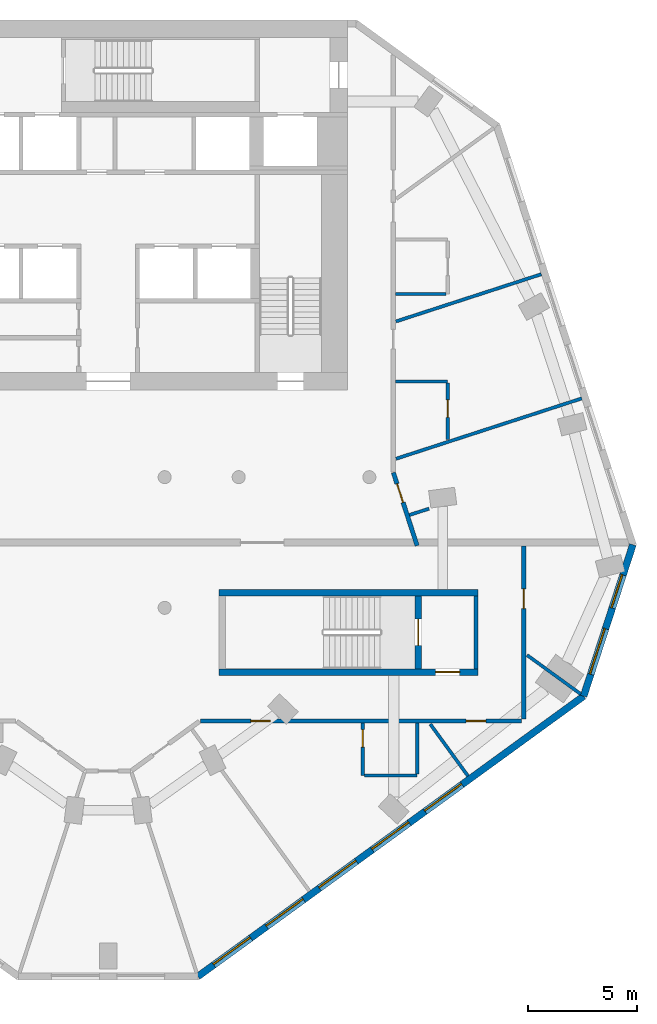
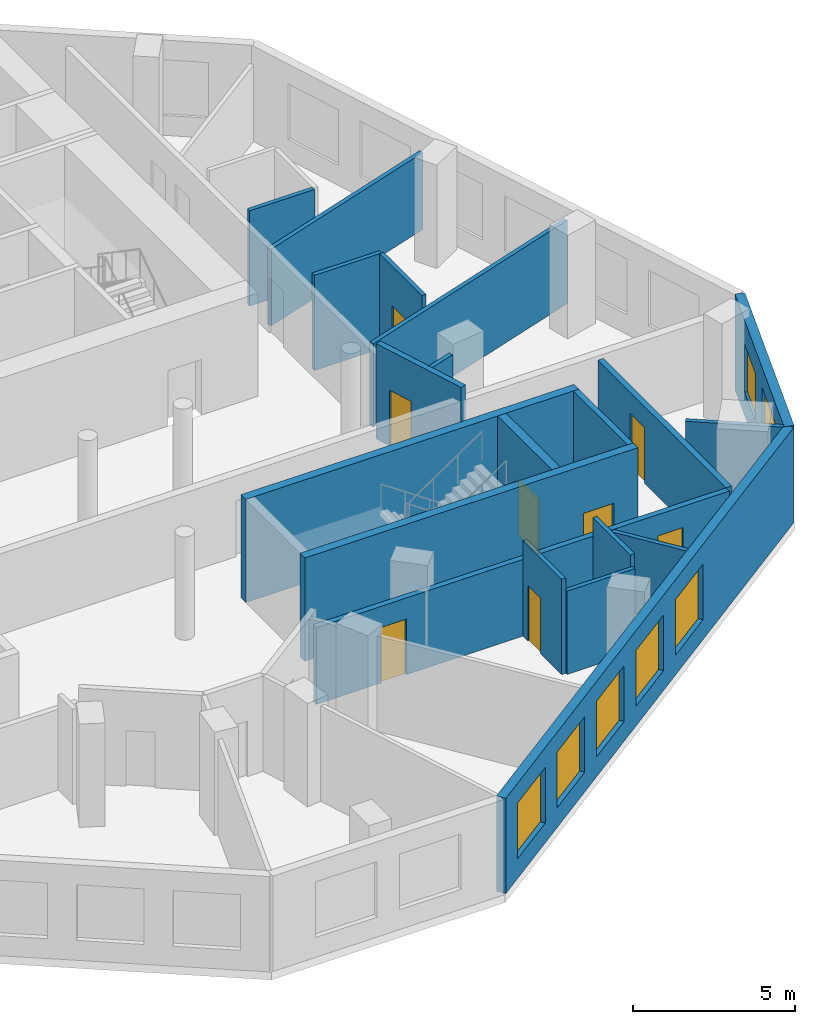
# One storey, part 4 of 9: 20 walls, 8 doors, 7 windows, 15 openings.
"""IFC4 building model written with IfcOpenShell, lengths in metres."""

from ifc_helpers import new_model, si_unit, direction, frame, frame_2d, origin, place, context, subcontext, project, spatial, rectangle, extrude, material, layer, layer_set, type_object, element, fill, save


model = new_model("IFC4")

# Units and contexts
model_context = context("Model", 3, precision=1e-05, world=origin(), true_north=direction((0.0, 1.0)))
body_context = subcontext(model_context, "Body", "Model", "MODEL_VIEW")
ifc_project = project(units=[si_unit("LENGTHUNIT", "METRE"), si_unit("AREAUNIT", "SQUARE_METRE"), si_unit("VOLUMEUNIT", "CUBIC_METRE"), si_unit("PLANEANGLEUNIT", "RADIAN"), si_unit("MASSUNIT", "GRAM", prefix="KILO")], contexts=[model_context])

# Site, building, storey
site_placement = place(None, origin())
site = spatial("IfcSite", under=ifc_project, at=site_placement, CompositionType="ELEMENT")
building_placement = place(site_placement, origin())
building = spatial("IfcBuilding", under=site, at=building_placement, Name="White Candle Pilgrim Tower", CompositionType="ELEMENT")
storey_placement = place(building_placement, frame((0.0, 0.0, 235.5)))
storey = spatial("IfcBuildingStorey", under=building, at=storey_placement, Name="L55", CompositionType="ELEMENT", Elevation=235.5)

# Wall
ifc_material_1 = material(Name="Concrete C50/60", Category="concrete")
ifc_layer_1 = layer(ifc_material_1, 0.199951171875)
ifc_layer_set_1 = layer_set([ifc_layer_1], Name="Core wall 200 mm Concrete C50/60")
wall_type_1 = type_object("IfcWallType", Name="Core wall 200 mm Concrete C50/60", PredefinedType="SHEAR", material=ifc_layer_set_1)
wall_1_placement = place(storey_placement, frame((86.89990234375, 58.199951171875, 0.0), z_axis=(0.0, 0.0, 1.0), x_axis=(0.0, 1.0, 0.0)))
element("IfcWall", 1, at=wall_1_placement, inside=storey, type_object=wall_type_1, Name="WL-L55-C08", PredefinedType="SHEAR", context=body_context, shape_type="SweptSolid", body=[
    extrude(rectangle(XDim=3.35009765625, YDim=0.199951171875, at=frame_2d((1.675048828125, 0.0))), origin(), (0.0, 0.0, 1.0), 3.89990234375),
])

# Wall, opening, door
ifc_material_2 = material(Name="Gypsum board on steel studs", Category="steel")
ifc_layer_2 = layer(ifc_material_2, 0.199951171875)
ifc_layer_set_2 = layer_set([ifc_layer_2], Name="Corridor wall 200 mm EI 45")
wall_type_2 = type_object("IfcWallType", Name="Corridor wall 200 mm EI 45", PredefinedType="PARTITIONING", material=ifc_layer_set_2)
wall_2_placement = place(storey_placement, frame((83.10498046875, 67.2109375, 0.0), z_axis=(0.0, 0.0, 1.0), x_axis=(0.309026709141, -0.951053359721, 0.0)))
wall_2 = element("IfcWall", 2, at=wall_2_placement, inside=storey, type_object=wall_type_2, Name="WL-L55-P005", PredefinedType="PARTITIONING", context=body_context, shape_type="SweptSolid", body=[
    extrude(rectangle(XDim=3.53369140625, YDim=0.199951171875, at=frame_2d((1.766845703125, 0.0))), origin(), (0.0, 0.0, 1.0), 3.60009765625),
])
opening_1_placement = place(wall_2_placement, frame((0.542236328125, 0.0, 0.0)))
opening_1 = element("IfcOpeningElement", 3, at=opening_1_placement, cuts=wall_2, Name="Opening T17-126", PredefinedType="OPENING", context=body_context, shape_type="SweptSolid", body=[
    extrude(rectangle(XDim=0.89990234375, YDim=2.10009765625, at=frame_2d((0.449951171875, 1.050048828125))), frame((0.0, 0.10986328125, 0.0), z_axis=(0.0, -1.0, 0.0), x_axis=(1.0, 0.0, 0.0)), (0.0, 0.0, 1.0), 0.219970703125),
])
ifc_material_3 = material(Name="Steel door leaf", Category="steel")
door_type_1 = type_object("IfcDoorType", Name="Fire door 900 x 2100 EI 30", OperationType="NOTDEFINED", PredefinedType="DOOR", material=ifc_material_3)
door_1_placement = place(opening_1_placement, origin())
door_1 = element("IfcDoor", 4, at=door_1_placement, inside=storey, type_object=door_type_1, Name="Door T17-126", OperationType="SINGLE_SWING_RIGHT", OverallHeight=2.10009765625, OverallWidth=0.89990234375, PredefinedType="DOOR", context=body_context, shape_type="SweptSolid", body=[
    extrude(rectangle(XDim=0.89990234375, YDim=2.10009765625, at=frame_2d((0.449951171875, 1.050048828125))), frame((0.0, 0.02490234375, 0.0), z_axis=(0.0, -1.0, 0.0), x_axis=(1.0, 0.0, 0.0)), (0.0, 0.0, 1.0), 0.050048828125),
])
fill(opening_1, door_1)

wall_3_placement = place(storey_placement, frame((89.10009765625, 63.85009765625, 0.0), z_axis=(0.0, 0.0, 1.0), x_axis=(0.0, -1.0, 0.0)))
wall_3 = element("IfcWall", 5, at=wall_3_placement, inside=storey, type_object=wall_type_2, Name="WL-L55-P006", PredefinedType="PARTITIONING", context=body_context, shape_type="SweptSolid", body=[
    extrude(rectangle(XDim=7.9501953125, YDim=0.199951171875, at=frame_2d((3.97509765625, 0.0))), origin(), (0.0, 0.0, 1.0), 2.89990234375),
])
opening_2_placement = place(wall_3_placement, frame((1.983154296875, 0.0, 0.0)))
opening_2 = element("IfcOpeningElement", 6, at=opening_2_placement, cuts=wall_3, Name="Opening T17-114", PredefinedType="OPENING", context=body_context, shape_type="SweptSolid", body=[
    extrude(rectangle(XDim=0.89990234375, YDim=2.10009765625, at=frame_2d((0.449951171875, 1.050048828125))), frame((0.0, 0.10986328125, 0.0), z_axis=(0.0, -1.0, 0.0), x_axis=(1.0, 0.0, 0.0)), (0.0, 0.0, 1.0), 0.219970703125),
])
door_2_placement = place(opening_2_placement, origin())
door_2 = element("IfcDoor", 7, at=door_2_placement, inside=storey, type_object=door_type_1, Name="Door T17-114", OperationType="SINGLE_SWING_RIGHT", OverallHeight=2.10009765625, OverallWidth=0.89990234375, PredefinedType="DOOR", context=body_context, shape_type="SweptSolid", body=[
    extrude(rectangle(XDim=0.89990234375, YDim=2.10009765625, at=frame_2d((0.449951171875, 1.050048828125))), frame((0.0, 0.02490234375, 0.0), z_axis=(0.0, -1.0, 0.0), x_axis=(1.0, 0.0, 0.0)), (0.0, 0.0, 1.0), 0.050048828125),
])
fill(opening_2, door_2)

# Wall, openings, doors
wall_4_placement = place(storey_placement, frame((89.0, 55.800048828125, 0.0), z_axis=(0.0, 0.0, 1.0), x_axis=(-1.0, 0.0, 0.0)))
wall_4 = element("IfcWall", 8, at=wall_4_placement, inside=storey, type_object=wall_type_2, Name="WL-L55-P007", PredefinedType="PARTITIONING", context=body_context, shape_type="SweptSolid", body=[
    extrude(rectangle(XDim=14.751220703125, YDim=0.199951171875, at=frame_2d((7.37548828125, 0.0))), origin(), (0.0, 0.0, 1.0), 2.89990234375),
])
opening_3_placement = place(wall_4_placement, frame((11.543212890625, 0.0, 0.0)))
opening_3 = element("IfcOpeningElement", 9, at=opening_3_placement, cuts=wall_4, Name="Opening T17-112", PredefinedType="OPENING", context=body_context, shape_type="SweptSolid", body=[
    extrude(rectangle(XDim=0.89990234375, YDim=2.10009765625, at=frame_2d((0.449951171875, 1.050048828125))), frame((0.0, 0.10986328125, 0.0), z_axis=(0.0, -1.0, 0.0), x_axis=(1.0, 0.0, 0.0)), (0.0, 0.0, 1.0), 0.219970703125),
])
opening_4_placement = place(wall_4_placement, frame((1.651611328125, 0.0, 0.0)))
opening_4 = element("IfcOpeningElement", 10, at=opening_4_placement, cuts=wall_4, Name="Opening T17-113", PredefinedType="OPENING", context=body_context, shape_type="SweptSolid", body=[
    extrude(rectangle(XDim=0.89990234375, YDim=2.10009765625, at=frame_2d((0.449951171875, 1.050048828125))), frame((0.0, 0.10986328125, 0.0), z_axis=(0.0, -1.0, 0.0), x_axis=(1.0, 0.0, 0.0)), (0.0, 0.0, 1.0), 0.219970703125),
])
door_3_placement = place(opening_3_placement, origin())
door_3 = element("IfcDoor", 11, at=door_3_placement, inside=storey, type_object=door_type_1, Name="Door T17-112", OperationType="SINGLE_SWING_RIGHT", OverallHeight=2.10009765625, OverallWidth=0.89990234375, PredefinedType="DOOR", context=body_context, shape_type="SweptSolid", body=[
    extrude(rectangle(XDim=0.89990234375, YDim=2.10009765625, at=frame_2d((0.449951171875, 1.050048828125))), frame((0.0, 0.02490234375, 0.0), z_axis=(0.0, -1.0, 0.0), x_axis=(1.0, 0.0, 0.0)), (0.0, 0.0, 1.0), 0.050048828125),
])
fill(opening_3, door_3)
door_4_placement = place(opening_4_placement, origin())
door_4 = element("IfcDoor", 12, at=door_4_placement, inside=storey, type_object=door_type_1, Name="Door T17-113", OperationType="SINGLE_SWING_LEFT", OverallHeight=2.10009765625, OverallWidth=0.89990234375, PredefinedType="DOOR", context=body_context, shape_type="SweptSolid", body=[
    extrude(rectangle(XDim=0.89990234375, YDim=2.10009765625, at=frame_2d((0.449951171875, 1.050048828125))), frame((0.0, 0.02490234375, 0.0), z_axis=(0.0, -1.0, 0.0), x_axis=(1.0, 0.0, 0.0)), (0.0, 0.0, 1.0), 0.050048828125),
])
fill(opening_4, door_4)

# Wall, openings, windows
ifc_material_4 = material(Name="Precast concrete C40/50", Category="concrete")
ifc_layer_3 = layer(ifc_material_4, 0.320068359375)
ifc_layer_set_3 = layer_set([ifc_layer_3], Name="Facade wall EW1 precast concrete C40/50 pier wall with timber-lined reveals")
wall_type_3 = type_object("IfcWallType", Name="Facade wall EW1 precast concrete C40/50 pier wall with timber-lined reveals", PredefinedType="SOLIDWALL", material=ifc_layer_set_3)
wall_5_placement = place(storey_placement, frame((74.123779296875, 44.064208984375, 0.0), z_axis=(0.0, 0.0, 1.0), x_axis=(0.809013617361, 0.587789900325, 0.0)))
wall_5 = element("IfcWall", 13, at=wall_5_placement, inside=storey, type_object=wall_type_3, Name="Facade wall L55 SE", PredefinedType="SOLIDWALL", context=body_context, shape_type="SweptSolid", body=[
    extrude(rectangle(XDim=21.904052734375, YDim=0.320068359375, at=frame_2d((10.9521484375, 0.0))), origin(), (0.0, 0.0, 1.0), 3.60009765625),
])
opening_5_placement = place(wall_5_placement, frame((0.902099609375, 0.0, 0.75)))
opening_5 = element("IfcOpeningElement", 14, at=opening_5_placement, cuts=wall_5, Name="Opening W3", PredefinedType="OPENING", context=body_context, shape_type="SweptSolid", body=[
    extrude(rectangle(XDim=2.10009765625, YDim=2.10009765625, at=frame_2d((1.050048828125, 1.050048828125))), frame((0.0, 0.169921875, 0.0), z_axis=(0.0, -1.0, 0.0), x_axis=(1.0, 0.0, 0.0)), (0.0, 0.0, 1.0), 0.340087890625),
])
opening_6_placement = place(wall_5_placement, frame((3.902099609375, 0.0, 0.75)))
opening_6 = element("IfcOpeningElement", 15, at=opening_6_placement, cuts=wall_5, Name="Opening W3", PredefinedType="OPENING", context=body_context, shape_type="SweptSolid", body=[
    extrude(rectangle(XDim=2.10009765625, YDim=2.10009765625, at=frame_2d((1.050048828125, 1.050048828125))), frame((0.0, 0.169921875, 0.0), z_axis=(0.0, -1.0, 0.0), x_axis=(1.0, 0.0, 0.0)), (0.0, 0.0, 1.0), 0.340087890625),
])
opening_7_placement = place(wall_5_placement, frame((6.902099609375, 0.0, 0.75)))
opening_7 = element("IfcOpeningElement", 16, at=opening_7_placement, cuts=wall_5, Name="Opening W3", PredefinedType="OPENING", context=body_context, shape_type="SweptSolid", body=[
    extrude(rectangle(XDim=2.10009765625, YDim=2.10009765625, at=frame_2d((1.050048828125, 1.050048828125))), frame((0.0, 0.169921875, 0.0), z_axis=(0.0, -1.0, 0.0), x_axis=(1.0, 0.0, 0.0)), (0.0, 0.0, 1.0), 0.340087890625),
])
opening_8_placement = place(wall_5_placement, frame((9.902099609375, 0.0, 0.75)))
opening_8 = element("IfcOpeningElement", 17, at=opening_8_placement, cuts=wall_5, Name="Opening W3", PredefinedType="OPENING", context=body_context, shape_type="SweptSolid", body=[
    extrude(rectangle(XDim=2.10009765625, YDim=2.10009765625, at=frame_2d((1.050048828125, 1.050048828125))), frame((0.0, 0.169921875, 0.0), z_axis=(0.0, -1.0, 0.0), x_axis=(1.0, 0.0, 0.0)), (0.0, 0.0, 1.0), 0.340087890625),
])
opening_9_placement = place(wall_5_placement, frame((12.902099609375, 0.0, 0.75)))
opening_9 = element("IfcOpeningElement", 18, at=opening_9_placement, cuts=wall_5, Name="Opening W3", PredefinedType="OPENING", context=body_context, shape_type="SweptSolid", body=[
    extrude(rectangle(XDim=2.10009765625, YDim=2.10009765625, at=frame_2d((1.050048828125, 1.050048828125))), frame((0.0, 0.169921875, 0.0), z_axis=(0.0, -1.0, 0.0), x_axis=(1.0, 0.0, 0.0)), (0.0, 0.0, 1.0), 0.340087890625),
])
ifc_material_5 = material(Name="Timber frame with triple glazing", Category="wood")
window_type_1 = type_object("IfcWindowType", Name="Window W3 2100x2100 timber frame triple glazing", PartitioningType="SINGLE_PANEL", PredefinedType="WINDOW", material=ifc_material_5)
window_1_placement = place(opening_5_placement, origin())
window_1 = element("IfcWindow", 19, at=window_1_placement, inside=storey, type_object=window_type_1, Name="Window W3 L55 SE 1", OverallHeight=2.10009765625, OverallWidth=2.10009765625, PartitioningType="SINGLE_PANEL", PredefinedType="WINDOW", context=body_context, shape_type="SweptSolid", body=[
    extrude(rectangle(XDim=2.10009765625, YDim=2.10009765625, at=frame_2d((1.050048828125, 1.050048828125))), frame((0.0, 0.070068359375, 0.0), z_axis=(0.0, -1.0, 0.0), x_axis=(1.0, 0.0, 0.0)), (0.0, 0.0, 1.0), 0.06005859375),
])
fill(opening_5, window_1)
window_2_placement = place(opening_6_placement, origin())
window_2 = element("IfcWindow", 20, at=window_2_placement, inside=storey, type_object=window_type_1, Name="Window W3 L55 SE 2", OverallHeight=2.10009765625, OverallWidth=2.10009765625, PartitioningType="SINGLE_PANEL", PredefinedType="WINDOW", context=body_context, shape_type="SweptSolid", body=[
    extrude(rectangle(XDim=2.10009765625, YDim=2.10009765625, at=frame_2d((1.050048828125, 1.050048828125))), frame((0.0, 0.070068359375, 0.0), z_axis=(0.0, -1.0, 0.0), x_axis=(1.0, 0.0, 0.0)), (0.0, 0.0, 1.0), 0.06005859375),
])
fill(opening_6, window_2)
window_3_placement = place(opening_7_placement, origin())
window_3 = element("IfcWindow", 21, at=window_3_placement, inside=storey, type_object=window_type_1, Name="Window W3 L55 SE 3", OverallHeight=2.10009765625, OverallWidth=2.10009765625, PartitioningType="SINGLE_PANEL", PredefinedType="WINDOW", context=body_context, shape_type="SweptSolid", body=[
    extrude(rectangle(XDim=2.10009765625, YDim=2.10009765625, at=frame_2d((1.050048828125, 1.050048828125))), frame((0.0, 0.070068359375, 0.0), z_axis=(0.0, -1.0, 0.0), x_axis=(1.0, 0.0, 0.0)), (0.0, 0.0, 1.0), 0.06005859375),
])
fill(opening_7, window_3)
window_4_placement = place(opening_8_placement, origin())
window_4 = element("IfcWindow", 22, at=window_4_placement, inside=storey, type_object=window_type_1, Name="Window W3 L55 SE 4", OverallHeight=2.10009765625, OverallWidth=2.10009765625, PartitioningType="SINGLE_PANEL", PredefinedType="WINDOW", context=body_context, shape_type="SweptSolid", body=[
    extrude(rectangle(XDim=2.10009765625, YDim=2.10009765625, at=frame_2d((1.050048828125, 1.050048828125))), frame((0.0, 0.070068359375, 0.0), z_axis=(0.0, -1.0, 0.0), x_axis=(1.0, 0.0, 0.0)), (0.0, 0.0, 1.0), 0.06005859375),
])
fill(opening_8, window_4)
window_5_placement = place(opening_9_placement, origin())
window_5 = element("IfcWindow", 23, at=window_5_placement, inside=storey, type_object=window_type_1, Name="Window W3 L55 SE 5", OverallHeight=2.10009765625, OverallWidth=2.10009765625, PartitioningType="SINGLE_PANEL", PredefinedType="WINDOW", context=body_context, shape_type="SweptSolid", body=[
    extrude(rectangle(XDim=2.10009765625, YDim=2.10009765625, at=frame_2d((1.050048828125, 1.050048828125))), frame((0.0, 0.070068359375, 0.0), z_axis=(0.0, -1.0, 0.0), x_axis=(1.0, 0.0, 0.0)), (0.0, 0.0, 1.0), 0.06005859375),
])
fill(opening_9, window_5)

wall_6_placement = place(storey_placement, frame((91.844482421875, 56.939208984375, 0.0), z_axis=(0.0, 0.0, 1.0), x_axis=(0.309034031294, 0.951050980496, 0.0)))
wall_6 = element("IfcWall", 24, at=wall_6_placement, inside=storey, type_object=wall_type_3, Name="Facade wall L55 E chamfer", PredefinedType="SOLIDWALL", context=body_context, shape_type="SweptSolid", body=[
    extrude(rectangle(XDim=7.319580078125, YDim=0.320068359375, at=frame_2d((3.65966796875, 0.0))), origin(), (0.0, 0.0, 1.0), 3.60009765625),
])
opening_10_placement = place(wall_6_placement, frame((1.059814453125, 0.0, 0.75)))
opening_10 = element("IfcOpeningElement", 25, at=opening_10_placement, cuts=wall_6, Name="Opening W4", PredefinedType="OPENING", context=body_context, shape_type="SweptSolid", body=[
    extrude(rectangle(XDim=2.199951171875, YDim=2.10009765625, at=frame_2d((1.10009765625, 1.050048828125))), frame((0.0, 0.169921875, 0.0), z_axis=(0.0, -1.0, 0.0), x_axis=(1.0, 0.0, 0.0)), (0.0, 0.0, 1.0), 0.340087890625),
])
opening_11_placement = place(wall_6_placement, frame((4.259765625, 0.0, 0.89990234375)))
opening_11 = element("IfcOpeningElement", 26, at=opening_11_placement, cuts=wall_6, Name="Opening W2", PredefinedType="OPENING", context=body_context, shape_type="SweptSolid", body=[
    extrude(rectangle(XDim=1.60009765625, YDim=1.800048828125, at=frame_2d((0.800048828125, 0.89990234375))), frame((0.0, 0.169921875, 0.0), z_axis=(0.0, -1.0, 0.0), x_axis=(1.0, 0.0, 0.0)), (0.0, 0.0, 1.0), 0.340087890625),
])
window_type_2 = type_object("IfcWindowType", Name="Window W2 1600x1800 timber frame triple glazing", PartitioningType="SINGLE_PANEL", PredefinedType="WINDOW", material=ifc_material_5)
window_6_placement = place(opening_11_placement, origin())
window_6 = element("IfcWindow", 27, at=window_6_placement, inside=storey, type_object=window_type_2, Name="Window W2 L55 E chamfer 2", OverallHeight=1.800048828125, OverallWidth=1.60009765625, PartitioningType="SINGLE_PANEL", PredefinedType="WINDOW", context=body_context, shape_type="SweptSolid", body=[
    extrude(rectangle(XDim=1.60009765625, YDim=1.800048828125, at=frame_2d((0.800048828125, 0.89990234375))), frame((0.0, 0.070068359375, 0.0), z_axis=(0.0, -1.0, 0.0), x_axis=(1.0, 0.0, 0.0)), (0.0, 0.0, 1.0), 0.06005859375),
])
fill(opening_11, window_6)
window_type_3 = type_object("IfcWindowType", Name="Window W4 2200x2100 timber frame triple glazing", PartitioningType="SINGLE_PANEL", PredefinedType="WINDOW", material=ifc_material_5)
window_7_placement = place(opening_10_placement, origin())
window_7 = element("IfcWindow", 28, at=window_7_placement, inside=storey, type_object=window_type_3, Name="Window W4 L55 E chamfer 1", OverallHeight=2.10009765625, OverallWidth=2.199951171875, PartitioningType="SINGLE_PANEL", PredefinedType="WINDOW", context=body_context, shape_type="SweptSolid", body=[
    extrude(rectangle(XDim=2.199951171875, YDim=2.10009765625, at=frame_2d((1.10009765625, 1.050048828125))), frame((0.0, 0.070068359375, 0.0), z_axis=(0.0, -1.0, 0.0), x_axis=(1.0, 0.0, 0.0)), (0.0, 0.0, 1.0), 0.06005859375),
])
fill(opening_10, window_7)

# Walls
ifc_layer_4 = layer(ifc_material_2, 0.14990234375)
ifc_layer_set_4 = layer_set([ifc_layer_4], Name="Partition 150 mm EI 60")
wall_type_4 = type_object("IfcWallType", Name="Partition 150 mm EI 60", PredefinedType="PARTITIONING", material=ifc_layer_set_4)
wall_7_placement = place(storey_placement, frame((91.70849609375, 57.0380859375, 0.0), z_axis=(0.0, 0.0, 1.0), x_axis=(-0.809006333386, 0.587799925605, 0.0)))
element("IfcWall", 29, at=wall_7_placement, inside=storey, type_object=wall_type_4, Name="WL-L55-P017", PredefinedType="PARTITIONING", context=body_context, shape_type="SweptSolid", body=[
    extrude(rectangle(XDim=3.046142578125, YDim=0.14990234375, at=frame_2d((1.52294921875, 0.0))), origin(), (0.0, 0.0, 1.0), 3.60009765625),
])
wall_8_placement = place(storey_placement, frame((86.53076171875, 53.276123046875, 0.0), z_axis=(0.0, 0.0, 1.0), x_axis=(-0.587766969839, 0.809030277039, 0.0)))
element("IfcWall", 30, at=wall_8_placement, inside=storey, type_object=wall_type_4, Name="WL-L55-P034", PredefinedType="PARTITIONING", context=body_context, shape_type="SweptSolid", body=[
    extrude(rectangle(XDim=2.941650390625, YDim=0.14990234375, at=frame_2d((1.470703125, 0.0))), origin(), (0.0, 0.0, 1.0), 2.89990234375),
])

# Wall, opening, door
wall_9_placement = place(storey_placement, frame((81.697021484375, 55.699951171875, 0.0), z_axis=(0.0, 0.0, 1.0), x_axis=(0.0, -1.0, 0.0)))
wall_9 = element("IfcWall", 31, at=wall_9_placement, inside=storey, type_object=wall_type_4, Name="WL-L55-P035", PredefinedType="PARTITIONING", context=body_context, shape_type="SweptSolid", body=[
    extrude(rectangle(XDim=2.39990234375, YDim=0.14990234375, at=frame_2d((1.199951171875, 0.0))), origin(), (0.0, 0.0, 1.0), 3.60009765625),
])
opening_12_placement = place(wall_9_placement, frame((0.300048828125, 0.0, 0.0)))
opening_12 = element("IfcOpeningElement", 32, at=opening_12_placement, cuts=wall_9, Name="Opening T17-111", PredefinedType="OPENING", context=body_context, shape_type="SweptSolid", body=[
    extrude(rectangle(XDim=0.800048828125, YDim=2.10009765625, at=frame_2d((0.39990234375, 1.050048828125))), frame((0.0, 0.0849609375, 0.0), z_axis=(0.0, -1.0, 0.0), x_axis=(1.0, 0.0, 0.0)), (0.0, 0.0, 1.0), 0.169921875),
])
door_type_2 = type_object("IfcDoorType", Name="Fire door 800 x 2100 EI 30", OperationType="NOTDEFINED", PredefinedType="DOOR", material=ifc_material_3)
door_5_placement = place(opening_12_placement, frame((0.800048828125, 0.0, 0.0), z_axis=(0.0, 0.0, 1.0), x_axis=(-1.0, 0.0, 0.0)))
door_5 = element("IfcDoor", 33, at=door_5_placement, inside=storey, type_object=door_type_2, Name="Door T17-111", OperationType="SINGLE_SWING_RIGHT", OverallHeight=2.10009765625, OverallWidth=0.800048828125, PredefinedType="DOOR", context=body_context, shape_type="SweptSolid", body=[
    extrude(rectangle(XDim=0.800048828125, YDim=2.10009765625, at=frame_2d((0.39990234375, 1.050048828125))), frame((0.0, 0.02490234375, 0.0), z_axis=(0.0, -1.0, 0.0), x_axis=(1.0, 0.0, 0.0)), (0.0, 0.0, 1.0), 0.050048828125),
])
fill(opening_12, door_5)

# Walls
wall_10_placement = place(storey_placement, frame((84.197021484375, 53.300048828125, 0.0), z_axis=(0.0, 0.0, 1.0), x_axis=(-1.0, 0.0, 0.0)))
element("IfcWall", 34, at=wall_10_placement, inside=storey, type_object=wall_type_4, Name="WL-L55-P036", PredefinedType="PARTITIONING", context=body_context, shape_type="SweptSolid", body=[
    extrude(rectangle(XDim=2.4248046875, YDim=0.14990234375, at=frame_2d((1.21240234375, 0.0))), origin(), (0.0, 0.0, 1.0), 3.14990234375),
])
wall_11_placement = place(storey_placement, frame((84.197021484375, 55.699951171875, 0.0), z_axis=(0.0, 0.0, 1.0), x_axis=(0.0, -1.0, 0.0)))
element("IfcWall", 35, at=wall_11_placement, inside=storey, type_object=wall_type_4, Name="WL-L55-P037", PredefinedType="PARTITIONING", context=body_context, shape_type="SweptSolid", body=[
    extrude(rectangle(XDim=2.324951171875, YDim=0.14990234375, at=frame_2d((1.16259765625, 0.0))), origin(), (0.0, 0.0, 1.0), 3.60009765625),
])
wall_12_placement = place(storey_placement, frame((91.755859375, 70.6171875, 0.0), z_axis=(0.0, 0.0, 1.0), x_axis=(-0.951056063509, -0.309018387903, 0.0)))
element("IfcWall", 36, at=wall_12_placement, inside=storey, type_object=wall_type_4, Name="WL-L55-P038", PredefinedType="PARTITIONING", context=body_context, shape_type="SweptSolid", body=[
    extrude(rectangle(XDim=8.971923828125, YDim=0.14990234375, at=frame_2d((4.48583984375, 0.0))), origin(), (0.0, 0.0, 1.0), 3.14990234375),
])
wall_13_placement = place(storey_placement, frame((89.901611328125, 76.323486328125, 0.0), z_axis=(0.0, 0.0, 1.0), x_axis=(-0.951058338022, -0.30901138762, 0.0)))
element("IfcWall", 37, at=wall_13_placement, inside=storey, type_object=wall_type_4, Name="WL-L55-P039", PredefinedType="PARTITIONING", context=body_context, shape_type="SweptSolid", body=[
    extrude(rectangle(XDim=7.022216796875, YDim=0.14990234375, at=frame_2d((3.51123046875, 0.0))), origin(), (0.0, 0.0, 1.0), 2.89990234375),
])
wall_14_placement = place(storey_placement, frame((83.199951171875, 71.39990234375, 0.0), z_axis=(0.0, 0.0, 1.0), x_axis=(1.0, 0.0, 0.0)))
element("IfcWall", 38, at=wall_14_placement, inside=storey, type_object=wall_type_4, Name="WL-L55-P040", PredefinedType="PARTITIONING", context=body_context, shape_type="SweptSolid", body=[
    extrude(rectangle(XDim=2.400146484375, YDim=0.14990234375, at=frame_2d((1.2001953125, 0.0))), origin(), (0.0, 0.0, 1.0), 3.60009765625),
])

# Wall, opening, door
wall_15_placement = place(storey_placement, frame((85.60009765625, 68.72021484375, 0.0), z_axis=(0.0, 0.0, 1.0), x_axis=(0.0, 1.0, 0.0)))
wall_15 = element("IfcWall", 39, at=wall_15_placement, inside=storey, type_object=wall_type_4, Name="WL-L55-P041", PredefinedType="PARTITIONING", context=body_context, shape_type="SweptSolid", body=[
    extrude(rectangle(XDim=2.604736328125, YDim=0.14990234375, at=frame_2d((1.30224609375, 0.0))), origin(), (0.0, 0.0, 1.0), 3.60009765625),
])
opening_13_placement = place(wall_15_placement, frame((1.02978515625, 0.0, 0.0)))
opening_13 = element("IfcOpeningElement", 40, at=opening_13_placement, cuts=wall_15, Name="Opening T17-115", PredefinedType="OPENING", context=body_context, shape_type="SweptSolid", body=[
    extrude(rectangle(XDim=0.800048828125, YDim=2.10009765625, at=frame_2d((0.39990234375, 1.050048828125))), frame((0.0, 0.0849609375, 0.0), z_axis=(0.0, -1.0, 0.0), x_axis=(1.0, 0.0, 0.0)), (0.0, 0.0, 1.0), 0.169921875),
])
door_6_placement = place(opening_13_placement, frame((0.800048828125, 0.0, 0.0), z_axis=(0.0, 0.0, 1.0), x_axis=(-1.0, 0.0, 0.0)))
door_6 = element("IfcDoor", 41, at=door_6_placement, inside=storey, type_object=door_type_2, Name="Door T17-115", OperationType="SINGLE_SWING_RIGHT", OverallHeight=2.10009765625, OverallWidth=0.800048828125, PredefinedType="DOOR", context=body_context, shape_type="SweptSolid", body=[
    extrude(rectangle(XDim=0.800048828125, YDim=2.10009765625, at=frame_2d((0.39990234375, 1.050048828125))), frame((0.0, 0.02490234375, 0.0), z_axis=(0.0, -1.0, 0.0), x_axis=(1.0, 0.0, 0.0)), (0.0, 0.0, 1.0), 0.050048828125),
])
fill(opening_13, door_6)

# Walls
wall_16_placement = place(storey_placement, frame((83.199951171875, 75.413330078125, 0.0), z_axis=(0.0, 0.0, 1.0), x_axis=(1.0, 0.0, 0.0)))
element("IfcWall", 42, at=wall_16_placement, inside=storey, type_object=wall_type_4, Name="WL-L55-P044", PredefinedType="PARTITIONING", context=body_context, shape_type="SweptSolid", body=[
    extrude(rectangle(XDim=2.324951171875, YDim=0.14990234375, at=frame_2d((1.16259765625, 0.0))), origin(), (0.0, 0.0, 1.0), 3.60009765625),
])
wall_17_placement = place(storey_placement, frame((84.7431640625, 65.55517578125, 0.0), z_axis=(0.0, 0.0, 1.0), x_axis=(-0.951054918228, -0.309021912676, 0.0)))
element("IfcWall", 43, at=wall_17_placement, inside=storey, type_object=wall_type_4, Name="WL-L55-P046", PredefinedType="PARTITIONING", context=body_context, shape_type="SweptSolid", body=[
    extrude(rectangle(XDim=0.946533203125, YDim=0.14990234375, at=frame_2d((0.47314453125, 0.0))), origin(), (0.0, 0.0, 1.0), 3.60009765625),
])

# Wall, opening, door
ifc_layer_5 = layer(ifc_material_1, 0.300048828125)
ifc_layer_set_5 = layer_set([ifc_layer_5], Name="Stair shaft wall 300 mm Concrete C50/60")
wall_type_5 = type_object("IfcWallType", Name="Stair shaft wall 300 mm Concrete C50/60", PredefinedType="SHEAR", material=ifc_layer_set_5)
wall_18_placement = place(storey_placement, frame((75.10009765625, 58.050048828125, 0.0), z_axis=(0.0, 0.0, 1.0), x_axis=(1.0, 0.0, 0.0)))
wall_18 = element("IfcWall", 44, at=wall_18_placement, inside=storey, type_object=wall_type_5, Name="WL-L55-C02", PredefinedType="SHEAR", context=body_context, shape_type="SweptSolid", body=[
    extrude(rectangle(XDim=11.89990234375, YDim=0.300048828125, at=frame_2d((5.949951171875, 0.0))), origin(), (0.0, 0.0, 1.0), 3.89990234375),
])
opening_14_placement = place(wall_18_placement, frame((9.949951171875, 0.0, 0.0)))
opening_14 = element("IfcOpeningElement", 45, at=opening_14_placement, cuts=wall_18, Name="Opening T17-012", PredefinedType="OPENING", context=body_context, shape_type="SweptSolid", body=[
    extrude(rectangle(XDim=1.10009765625, YDim=2.10009765625, at=frame_2d((0.550048828125, 1.050048828125))), frame((0.0, 0.159912109375, 0.0), z_axis=(0.0, -1.0, 0.0), x_axis=(1.0, 0.0, 0.0)), (0.0, 0.0, 1.0), 0.320068359375),
])
door_type_3 = type_object("IfcDoorType", Name="Fire door 1100 x 2100 EI 60", OperationType="NOTDEFINED", PredefinedType="DOOR", material=ifc_material_3)
door_7_placement = place(opening_14_placement, origin())
door_7 = element("IfcDoor", 46, at=door_7_placement, inside=storey, type_object=door_type_3, Name="Door T17-012", OperationType="SINGLE_SWING_RIGHT", OverallHeight=2.10009765625, OverallWidth=1.10009765625, PredefinedType="DOOR", context=body_context, shape_type="SweptSolid", body=[
    extrude(rectangle(XDim=1.10009765625, YDim=2.10009765625, at=frame_2d((0.550048828125, 1.050048828125))), frame((0.0, 0.02490234375, 0.0), z_axis=(0.0, -1.0, 0.0), x_axis=(1.0, 0.0, 0.0)), (0.0, 0.0, 1.0), 0.050048828125),
])
fill(opening_14, door_7)

wall_19_placement = place(storey_placement, frame((84.25, 58.199951171875, 0.0), z_axis=(0.0, 0.0, 1.0), x_axis=(0.0, 1.0, 0.0)))
wall_19 = element("IfcWall", 47, at=wall_19_placement, inside=storey, type_object=wall_type_5, Name="WL-L55-C07", PredefinedType="SHEAR", context=body_context, shape_type="SweptSolid", body=[
    extrude(rectangle(XDim=3.35009765625, YDim=0.300048828125, at=frame_2d((1.675048828125, 0.0))), origin(), (0.0, 0.0, 1.0), 3.89990234375),
])
opening_15_placement = place(wall_19_placement, frame((1.074951171875, 0.0, 0.0)))
opening_15 = element("IfcOpeningElement", 48, at=opening_15_placement, cuts=wall_19, Name="Opening T17-013", PredefinedType="OPENING", context=body_context, shape_type="SweptSolid", body=[
    extrude(rectangle(XDim=1.199951171875, YDim=2.10009765625, at=frame_2d((0.60009765625, 1.050048828125))), frame((0.0, 0.159912109375, 0.0), z_axis=(0.0, -1.0, 0.0), x_axis=(1.0, 0.0, 0.0)), (0.0, 0.0, 1.0), 0.320068359375),
])
door_type_4 = type_object("IfcDoorType", Name="Fire door 1200 x 2100 EI 60", OperationType="NOTDEFINED", PredefinedType="DOOR", material=ifc_material_3)
door_8_placement = place(opening_15_placement, origin())
door_8 = element("IfcDoor", 49, at=door_8_placement, inside=storey, type_object=door_type_4, Name="Door T17-013", OperationType="SINGLE_SWING_LEFT", OverallHeight=2.10009765625, OverallWidth=1.199951171875, PredefinedType="DOOR", context=body_context, shape_type="SweptSolid", body=[
    extrude(rectangle(XDim=1.199951171875, YDim=2.10009765625, at=frame_2d((0.60009765625, 1.050048828125))), frame((0.0, 0.02490234375, 0.0), z_axis=(0.0, -1.0, 0.0), x_axis=(1.0, 0.0, 0.0)), (0.0, 0.0, 1.0), 0.050048828125),
])
fill(opening_15, door_8)

# Wall
wall_20_placement = place(storey_placement, frame((75.10009765625, 61.699951171875, 0.0), z_axis=(0.0, 0.0, 1.0), x_axis=(1.0, 0.0, 0.0)))
element("IfcWall", 50, at=wall_20_placement, inside=storey, type_object=wall_type_5, Name="WL-L55-C10", PredefinedType="SHEAR", context=body_context, shape_type="SweptSolid", body=[
    extrude(rectangle(XDim=11.89990234375, YDim=0.300048828125, at=frame_2d((5.949951171875, 0.0))), origin(), (0.0, 0.0, 1.0), 3.89990234375),
])

save(model, "model.ifc")
